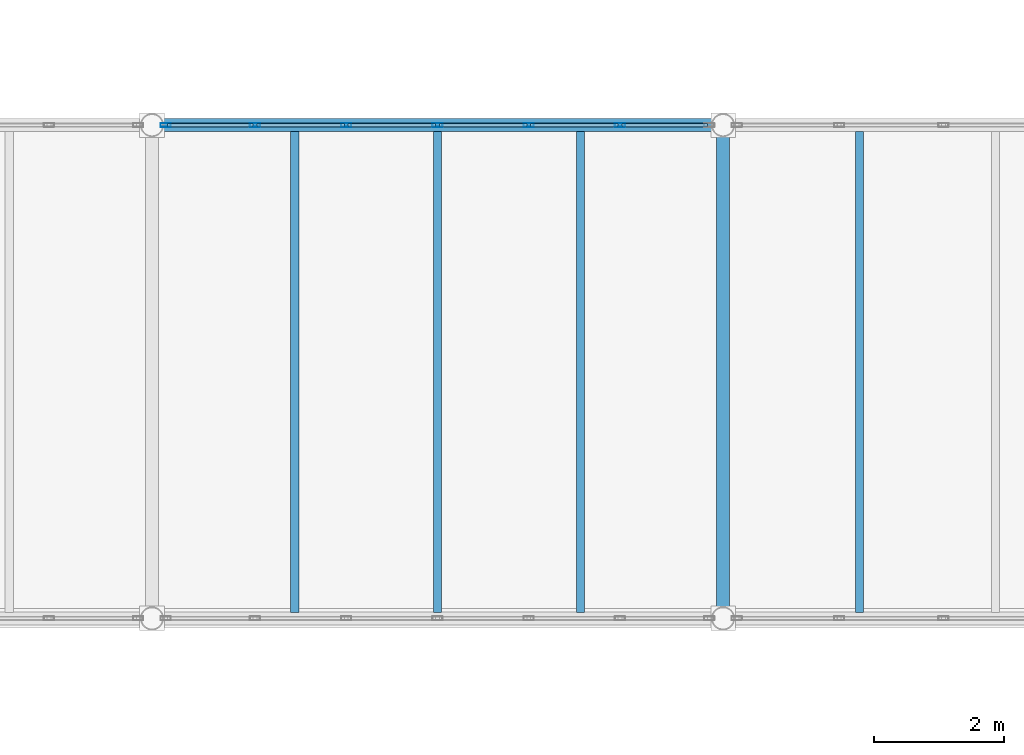
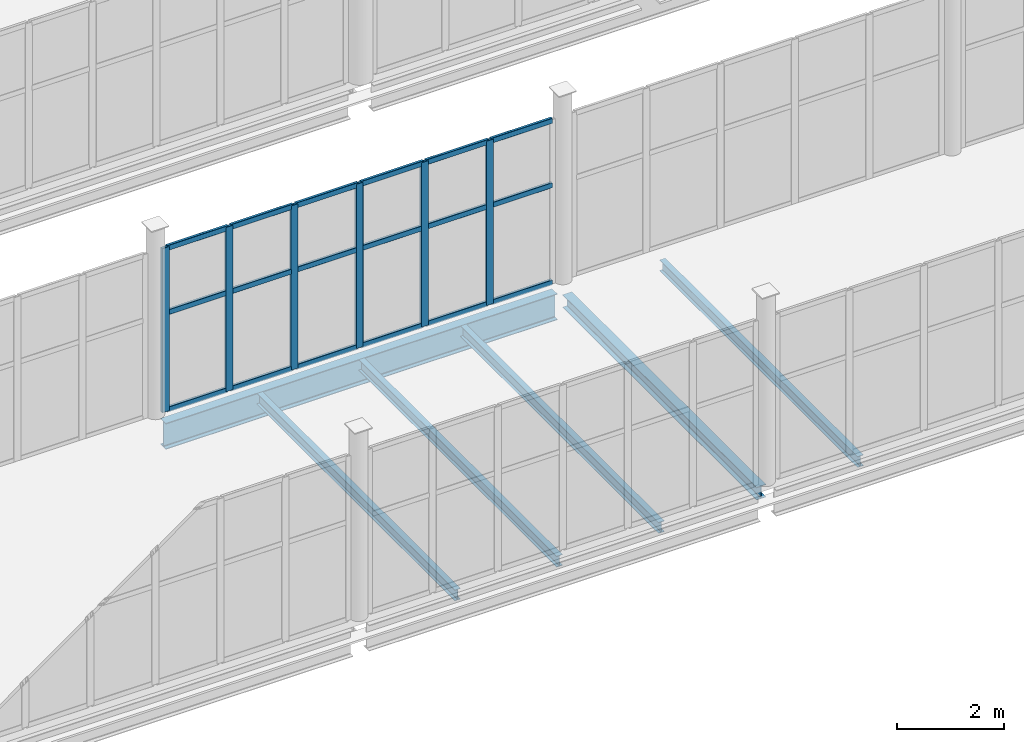
# One storey, part 56 of 172: 24 members, 6 beams, 1 element without a shape of its own.
"""IFC4 building model written with IfcOpenShell, lengths in metres."""

from ifc_helpers import new_model, si_unit, direction, frame, origin, origin_2d, place, context, subcontext, project, spatial, hollow_rectangle, i_section, extrude, material, material_profile, profile_set, type_object, element, aggregate, save


model = new_model("IFC4")

# Units and contexts
model_context = context("Model", 3, precision=1e-05, world=origin(), true_north=direction((0.0, 1.0)))
body_context = subcontext(model_context, "Body", "Model", "MODEL_VIEW")
ifc_project = project(units=[si_unit("LENGTHUNIT", "METRE"), si_unit("AREAUNIT", "SQUARE_METRE"), si_unit("VOLUMEUNIT", "CUBIC_METRE"), si_unit("PLANEANGLEUNIT", "RADIAN"), si_unit("MASSUNIT", "GRAM", prefix="KILO")], contexts=[model_context])

# Site, building, storey
site_placement = place(None, origin())
site = spatial("IfcSite", under=ifc_project, at=site_placement, CompositionType="ELEMENT")
building_placement = place(site_placement, origin())
building = spatial("IfcBuilding", under=site, at=building_placement, Name="Shengluoqiao Park Theatre", CompositionType="ELEMENT")
storey_placement = place(building_placement, frame((0.0, 0.0, 5.39990234375)))
storey = spatial("IfcBuildingStorey", under=building, at=storey_placement, Name="L01", CompositionType="ELEMENT", Elevation=5.39990234375)

# Curtain wall, members
ifc_material_1 = material(Name="Aluminium 6063-T6", Category="aluminium")
curtain_wall_type = type_object("IfcCurtainWallType", Name="ENV-CW-BRIDGE", PredefinedType="NOTDEFINED", material=ifc_material_1)
curtain_wall_placement = place(storey_placement, origin())
curtain_wall = element("IfcCurtainWall", 1, at=curtain_wall_placement, inside=storey, type_object=curtain_wall_type, Name="L01 Curtain Wall CWX-L01-0142", PredefinedType="NOTDEFINED")
ifc_material_profile_1 = material_profile(ifc_material_1, hollow_rectangle(XDim=0.06005859375, YDim=0.159912109375, WallThickness=0.00390625, InnerFilletRadius=0.00390625, OuterFilletRadius=0.008056640625, at=origin_2d()), Name="ALU MULLION 160x60x4")
ifc_profile_set_1 = profile_set([ifc_material_profile_1], Name="Aluminium 6063-T6")
member_type_1 = type_object("IfcMemberType", Name="ENV-MUL-160", PredefinedType="MULLION", material=ifc_profile_set_1)
member_1_placement = place(storey_placement, frame((95.412109375, 60.800048828125, 0.0), z_axis=(0.0, 0.0, 1.0), x_axis=(0.0, 1.0, 0.0)))
member_1 = element("IfcMember", 2, at=member_1_placement, type_object=member_type_1, Name="CW-03 mullion 1", PredefinedType="MULLION", context=body_context, shape_type="SweptSolid", body=[
    extrude(hollow_rectangle(XDim=0.06005859375, YDim=0.159912109375, WallThickness=0.00390625, InnerFilletRadius=0.00390625, OuterFilletRadius=0.008056640625, at=origin_2d()), origin(), (0.0, 0.0, 1.0), 3.752197265625),
])
member_2_placement = place(storey_placement, frame((96.7880859375, 60.800048828125, 0.0), z_axis=(0.0, 0.0, 1.0), x_axis=(0.0, 1.0, 0.0)))
member_2 = element("IfcMember", 3, at=member_2_placement, type_object=member_type_1, Name="CW-03 mullion 2", PredefinedType="MULLION", context=body_context, shape_type="SweptSolid", body=[
    extrude(hollow_rectangle(XDim=0.06005859375, YDim=0.159912109375, WallThickness=0.00390625, InnerFilletRadius=0.00390625, OuterFilletRadius=0.008056640625, at=origin_2d()), origin(), (0.0, 0.0, 1.0), 3.752197265625),
])
member_3_placement = place(storey_placement, frame((98.194091796875, 60.800048828125, 0.0), z_axis=(0.0, 0.0, 1.0), x_axis=(0.0, 1.0, 0.0)))
member_3 = element("IfcMember", 4, at=member_3_placement, type_object=member_type_1, Name="CW-03 mullion 3", PredefinedType="MULLION", context=body_context, shape_type="SweptSolid", body=[
    extrude(hollow_rectangle(XDim=0.06005859375, YDim=0.159912109375, WallThickness=0.00390625, InnerFilletRadius=0.00390625, OuterFilletRadius=0.008056640625, at=origin_2d()), origin(), (0.0, 0.0, 1.0), 3.752197265625),
])
member_4_placement = place(storey_placement, frame((99.60009765625, 60.800048828125, 0.0), z_axis=(0.0, 0.0, 1.0), x_axis=(0.0, 1.0, 0.0)))
member_4 = element("IfcMember", 5, at=member_4_placement, type_object=member_type_1, Name="CW-03 mullion 4", PredefinedType="MULLION", context=body_context, shape_type="SweptSolid", body=[
    extrude(hollow_rectangle(XDim=0.06005859375, YDim=0.159912109375, WallThickness=0.00390625, InnerFilletRadius=0.00390625, OuterFilletRadius=0.008056640625, at=origin_2d()), origin(), (0.0, 0.0, 1.0), 3.752197265625),
])
member_5_placement = place(storey_placement, frame((101.006103515625, 60.800048828125, 0.0), z_axis=(0.0, 0.0, 1.0), x_axis=(0.0, 1.0, 0.0)))
member_5 = element("IfcMember", 6, at=member_5_placement, type_object=member_type_1, Name="CW-03 mullion 5", PredefinedType="MULLION", context=body_context, shape_type="SweptSolid", body=[
    extrude(hollow_rectangle(XDim=0.06005859375, YDim=0.159912109375, WallThickness=0.00390625, InnerFilletRadius=0.00390625, OuterFilletRadius=0.008056640625, at=origin_2d()), origin(), (0.0, 0.0, 1.0), 3.752197265625),
])
member_6_placement = place(storey_placement, frame((102.412109375, 60.800048828125, 0.0), z_axis=(0.0, 0.0, 1.0), x_axis=(0.0, 1.0, 0.0)))
member_6 = element("IfcMember", 7, at=member_6_placement, type_object=member_type_1, Name="CW-03 mullion 6", PredefinedType="MULLION", context=body_context, shape_type="SweptSolid", body=[
    extrude(hollow_rectangle(XDim=0.06005859375, YDim=0.159912109375, WallThickness=0.00390625, InnerFilletRadius=0.00390625, OuterFilletRadius=0.008056640625, at=origin_2d()), origin(), (0.0, 0.0, 1.0), 3.752197265625),
])
ifc_material_profile_2 = material_profile(ifc_material_1, hollow_rectangle(XDim=0.06005859375, YDim=0.1201171875, WallThickness=0.00390625, InnerFilletRadius=0.00390625, OuterFilletRadius=0.008056640625, at=origin_2d()), Name="ALU TRANSOM 120x60x4")
ifc_profile_set_2 = profile_set([ifc_material_profile_2], Name="Aluminium 6063-T6")
member_type_2 = type_object("IfcMemberType", Name="ENV-TRN-120", PredefinedType="USERDEFINED", material=ifc_profile_set_2)
member_7_placement = place(storey_placement, frame((95.44189453125, 60.800048828125, 0.030029296875), z_axis=(1.0, 0.0, 0.0), x_axis=(0.0, 1.0, 0.0)))
member_7 = element("IfcMember", 8, at=member_7_placement, type_object=member_type_2, Name="CW-03 transom 1.1", ObjectType="TRANSOM", PredefinedType="USERDEFINED", context=body_context, shape_type="SweptSolid", body=[
    extrude(hollow_rectangle(XDim=0.06005859375, YDim=0.1201171875, WallThickness=0.00390625, InnerFilletRadius=0.00390625, OuterFilletRadius=0.008056640625, at=origin_2d()), origin(), (0.0, 0.0, 1.0), 1.316162109375),
])
member_8_placement = place(storey_placement, frame((95.44189453125, 60.800048828125, 2.2509765625), z_axis=(1.0, 0.0, 0.0), x_axis=(0.0, 1.0, 0.0)))
member_8 = element("IfcMember", 9, at=member_8_placement, type_object=member_type_2, Name="CW-03 transom 1.2", ObjectType="TRANSOM", PredefinedType="USERDEFINED", context=body_context, shape_type="SweptSolid", body=[
    extrude(hollow_rectangle(XDim=0.06005859375, YDim=0.1201171875, WallThickness=0.00390625, InnerFilletRadius=0.00390625, OuterFilletRadius=0.008056640625, at=origin_2d()), origin(), (0.0, 0.0, 1.0), 1.316162109375),
])
member_9_placement = place(storey_placement, frame((95.44189453125, 60.800048828125, 3.72216796875), z_axis=(1.0, 0.0, 0.0), x_axis=(0.0, 1.0, 0.0)))
member_9 = element("IfcMember", 10, at=member_9_placement, type_object=member_type_2, Name="CW-03 transom 1.3", ObjectType="TRANSOM", PredefinedType="USERDEFINED", context=body_context, shape_type="SweptSolid", body=[
    extrude(hollow_rectangle(XDim=0.06005859375, YDim=0.1201171875, WallThickness=0.00390625, InnerFilletRadius=0.00390625, OuterFilletRadius=0.008056640625, at=origin_2d()), origin(), (0.0, 0.0, 1.0), 1.316162109375),
])
member_10_placement = place(storey_placement, frame((96.818115234375, 60.800048828125, 0.030029296875), z_axis=(1.0, 0.0, 0.0), x_axis=(0.0, 1.0, 0.0)))
member_10 = element("IfcMember", 11, at=member_10_placement, type_object=member_type_2, Name="CW-03 transom 2.1", ObjectType="TRANSOM", PredefinedType="USERDEFINED", context=body_context, shape_type="SweptSolid", body=[
    extrude(hollow_rectangle(XDim=0.06005859375, YDim=0.1201171875, WallThickness=0.00390625, InnerFilletRadius=0.00390625, OuterFilletRadius=0.008056640625, at=origin_2d()), origin(), (0.0, 0.0, 1.0), 1.345947265625),
])
member_11_placement = place(storey_placement, frame((96.818115234375, 60.800048828125, 2.2509765625), z_axis=(1.0, 0.0, 0.0), x_axis=(0.0, 1.0, 0.0)))
member_11 = element("IfcMember", 12, at=member_11_placement, type_object=member_type_2, Name="CW-03 transom 2.2", ObjectType="TRANSOM", PredefinedType="USERDEFINED", context=body_context, shape_type="SweptSolid", body=[
    extrude(hollow_rectangle(XDim=0.06005859375, YDim=0.1201171875, WallThickness=0.00390625, InnerFilletRadius=0.00390625, OuterFilletRadius=0.008056640625, at=origin_2d()), origin(), (0.0, 0.0, 1.0), 1.345947265625),
])
member_12_placement = place(storey_placement, frame((96.818115234375, 60.800048828125, 3.72216796875), z_axis=(1.0, 0.0, 0.0), x_axis=(0.0, 1.0, 0.0)))
member_12 = element("IfcMember", 13, at=member_12_placement, type_object=member_type_2, Name="CW-03 transom 2.3", ObjectType="TRANSOM", PredefinedType="USERDEFINED", context=body_context, shape_type="SweptSolid", body=[
    extrude(hollow_rectangle(XDim=0.06005859375, YDim=0.1201171875, WallThickness=0.00390625, InnerFilletRadius=0.00390625, OuterFilletRadius=0.008056640625, at=origin_2d()), origin(), (0.0, 0.0, 1.0), 1.345947265625),
])
member_13_placement = place(storey_placement, frame((98.22412109375, 60.800048828125, 0.030029296875), z_axis=(1.0, 0.0, 0.0), x_axis=(0.0, 1.0, 0.0)))
member_13 = element("IfcMember", 14, at=member_13_placement, type_object=member_type_2, Name="CW-03 transom 3.1", ObjectType="TRANSOM", PredefinedType="USERDEFINED", context=body_context, shape_type="SweptSolid", body=[
    extrude(hollow_rectangle(XDim=0.06005859375, YDim=0.1201171875, WallThickness=0.00390625, InnerFilletRadius=0.00390625, OuterFilletRadius=0.008056640625, at=origin_2d()), origin(), (0.0, 0.0, 1.0), 1.345947265625),
])
member_14_placement = place(storey_placement, frame((98.22412109375, 60.800048828125, 2.2509765625), z_axis=(1.0, 0.0, 0.0), x_axis=(0.0, 1.0, 0.0)))
member_14 = element("IfcMember", 15, at=member_14_placement, type_object=member_type_2, Name="CW-03 transom 3.2", ObjectType="TRANSOM", PredefinedType="USERDEFINED", context=body_context, shape_type="SweptSolid", body=[
    extrude(hollow_rectangle(XDim=0.06005859375, YDim=0.1201171875, WallThickness=0.00390625, InnerFilletRadius=0.00390625, OuterFilletRadius=0.008056640625, at=origin_2d()), origin(), (0.0, 0.0, 1.0), 1.345947265625),
])
member_15_placement = place(storey_placement, frame((98.22412109375, 60.800048828125, 3.72216796875), z_axis=(1.0, 0.0, 0.0), x_axis=(0.0, 1.0, 0.0)))
member_15 = element("IfcMember", 16, at=member_15_placement, type_object=member_type_2, Name="CW-03 transom 3.3", ObjectType="TRANSOM", PredefinedType="USERDEFINED", context=body_context, shape_type="SweptSolid", body=[
    extrude(hollow_rectangle(XDim=0.06005859375, YDim=0.1201171875, WallThickness=0.00390625, InnerFilletRadius=0.00390625, OuterFilletRadius=0.008056640625, at=origin_2d()), origin(), (0.0, 0.0, 1.0), 1.345947265625),
])
member_16_placement = place(storey_placement, frame((99.6298828125, 60.800048828125, 0.030029296875), z_axis=(1.0, 0.0, 0.0), x_axis=(0.0, 1.0, 0.0)))
member_16 = element("IfcMember", 17, at=member_16_placement, type_object=member_type_2, Name="CW-03 transom 4.1", ObjectType="TRANSOM", PredefinedType="USERDEFINED", context=body_context, shape_type="SweptSolid", body=[
    extrude(hollow_rectangle(XDim=0.06005859375, YDim=0.1201171875, WallThickness=0.00390625, InnerFilletRadius=0.00390625, OuterFilletRadius=0.008056640625, at=origin_2d()), origin(), (0.0, 0.0, 1.0), 1.34619140625),
])
member_17_placement = place(storey_placement, frame((99.6298828125, 60.800048828125, 2.2509765625), z_axis=(1.0, 0.0, 0.0), x_axis=(0.0, 1.0, 0.0)))
member_17 = element("IfcMember", 18, at=member_17_placement, type_object=member_type_2, Name="CW-03 transom 4.2", ObjectType="TRANSOM", PredefinedType="USERDEFINED", context=body_context, shape_type="SweptSolid", body=[
    extrude(hollow_rectangle(XDim=0.06005859375, YDim=0.1201171875, WallThickness=0.00390625, InnerFilletRadius=0.00390625, OuterFilletRadius=0.008056640625, at=origin_2d()), origin(), (0.0, 0.0, 1.0), 1.34619140625),
])
member_18_placement = place(storey_placement, frame((99.6298828125, 60.800048828125, 3.72216796875), z_axis=(1.0, 0.0, 0.0), x_axis=(0.0, 1.0, 0.0)))
member_18 = element("IfcMember", 19, at=member_18_placement, type_object=member_type_2, Name="CW-03 transom 4.3", ObjectType="TRANSOM", PredefinedType="USERDEFINED", context=body_context, shape_type="SweptSolid", body=[
    extrude(hollow_rectangle(XDim=0.06005859375, YDim=0.1201171875, WallThickness=0.00390625, InnerFilletRadius=0.00390625, OuterFilletRadius=0.008056640625, at=origin_2d()), origin(), (0.0, 0.0, 1.0), 1.34619140625),
])
member_19_placement = place(storey_placement, frame((101.035888671875, 60.800048828125, 0.030029296875), z_axis=(1.0, 0.0, 0.0), x_axis=(0.0, 1.0, 0.0)))
member_19 = element("IfcMember", 20, at=member_19_placement, type_object=member_type_2, Name="CW-03 transom 5.1", ObjectType="TRANSOM", PredefinedType="USERDEFINED", context=body_context, shape_type="SweptSolid", body=[
    extrude(hollow_rectangle(XDim=0.06005859375, YDim=0.1201171875, WallThickness=0.00390625, InnerFilletRadius=0.00390625, OuterFilletRadius=0.008056640625, at=origin_2d()), origin(), (0.0, 0.0, 1.0), 1.34619140625),
])
member_20_placement = place(storey_placement, frame((101.035888671875, 60.800048828125, 2.2509765625), z_axis=(1.0, 0.0, 0.0), x_axis=(0.0, 1.0, 0.0)))
member_20 = element("IfcMember", 21, at=member_20_placement, type_object=member_type_2, Name="CW-03 transom 5.2", ObjectType="TRANSOM", PredefinedType="USERDEFINED", context=body_context, shape_type="SweptSolid", body=[
    extrude(hollow_rectangle(XDim=0.06005859375, YDim=0.1201171875, WallThickness=0.00390625, InnerFilletRadius=0.00390625, OuterFilletRadius=0.008056640625, at=origin_2d()), origin(), (0.0, 0.0, 1.0), 1.34619140625),
])
member_21_placement = place(storey_placement, frame((101.035888671875, 60.800048828125, 3.72216796875), z_axis=(1.0, 0.0, 0.0), x_axis=(0.0, 1.0, 0.0)))
member_21 = element("IfcMember", 22, at=member_21_placement, type_object=member_type_2, Name="CW-03 transom 5.3", ObjectType="TRANSOM", PredefinedType="USERDEFINED", context=body_context, shape_type="SweptSolid", body=[
    extrude(hollow_rectangle(XDim=0.06005859375, YDim=0.1201171875, WallThickness=0.00390625, InnerFilletRadius=0.00390625, OuterFilletRadius=0.008056640625, at=origin_2d()), origin(), (0.0, 0.0, 1.0), 1.34619140625),
])
member_22_placement = place(storey_placement, frame((102.44189453125, 60.800048828125, 0.030029296875), z_axis=(1.0, 0.0, 0.0), x_axis=(0.0, 1.0, 0.0)))
member_22 = element("IfcMember", 23, at=member_22_placement, type_object=member_type_2, Name="CW-03 transom 6.1", ObjectType="TRANSOM", PredefinedType="USERDEFINED", context=body_context, shape_type="SweptSolid", body=[
    extrude(hollow_rectangle(XDim=0.06005859375, YDim=0.1201171875, WallThickness=0.00390625, InnerFilletRadius=0.00390625, OuterFilletRadius=0.008056640625, at=origin_2d()), origin(), (0.0, 0.0, 1.0), 1.316162109375),
])
member_23_placement = place(storey_placement, frame((102.44189453125, 60.800048828125, 2.2509765625), z_axis=(1.0, 0.0, 0.0), x_axis=(0.0, 1.0, 0.0)))
member_23 = element("IfcMember", 24, at=member_23_placement, type_object=member_type_2, Name="CW-03 transom 6.2", ObjectType="TRANSOM", PredefinedType="USERDEFINED", context=body_context, shape_type="SweptSolid", body=[
    extrude(hollow_rectangle(XDim=0.06005859375, YDim=0.1201171875, WallThickness=0.00390625, InnerFilletRadius=0.00390625, OuterFilletRadius=0.008056640625, at=origin_2d()), origin(), (0.0, 0.0, 1.0), 1.316162109375),
])
member_24_placement = place(storey_placement, frame((102.44189453125, 60.800048828125, 3.72216796875), z_axis=(1.0, 0.0, 0.0), x_axis=(0.0, 1.0, 0.0)))
member_24 = element("IfcMember", 25, at=member_24_placement, type_object=member_type_2, Name="CW-03 transom 6.3", ObjectType="TRANSOM", PredefinedType="USERDEFINED", context=body_context, shape_type="SweptSolid", body=[
    extrude(hollow_rectangle(XDim=0.06005859375, YDim=0.1201171875, WallThickness=0.00390625, InnerFilletRadius=0.00390625, OuterFilletRadius=0.008056640625, at=origin_2d()), origin(), (0.0, 0.0, 1.0), 1.316162109375),
])
aggregate(curtain_wall, [member_1, member_2, member_3, member_4, member_5, member_6, member_7, member_8, member_9, member_10, member_11, member_12, member_13, member_14, member_15, member_16, member_17, member_18, member_19, member_20, member_21, member_22, member_23, member_24])

# Beams
ifc_material_2 = material(Name="Steel Q355", Category="steel")
ifc_material_profile_3 = material_profile(ifc_material_2, i_section(OverallWidth=0.199951171875, OverallDepth=0.2939453125, WebThickness=0.008056640625, FlangeThickness=0.011962890625, FilletRadius=0.01611328125, at=origin_2d()), Name="HM 294x200x8x12")
ifc_profile_set_3 = profile_set([ifc_material_profile_3], Name="Steel Q355")
beam_type_1 = type_object("IfcBeamType", Name="STR-BM-G-HM294", PredefinedType="BEAM", material=ifc_profile_set_3)
beam_1_placement = place(storey_placement, frame((104.0, 53.3720703125, -0.35693359375), z_axis=(0.0, 1.0, 0.0), x_axis=(-1.0, 0.0, 0.0)))
element("IfcBeam", 26, at=beam_1_placement, inside=storey, type_object=beam_type_1, Name="L01 Transverse Girder 00593", PredefinedType="BEAM", context=body_context, shape_type="SweptSolid", body=[
    extrude(i_section(OverallWidth=0.199951171875, OverallDepth=0.2939453125, WebThickness=0.008056640625, FlangeThickness=0.011962890625, FilletRadius=0.01611328125, at=origin_2d()), origin(), (0.0, 0.0, 1.0), 7.255859375),
])
ifc_material_profile_4 = material_profile(ifc_material_2, i_section(OverallWidth=0.125, OverallDepth=0.25, WebThickness=0.006103515625, FlangeThickness=0.009033203125, FilletRadius=0.010009765625, at=origin_2d()), Name="HN 250x125x6x9")
ifc_profile_set_4 = profile_set([ifc_material_profile_4], Name="Steel Q355")
beam_type_2 = type_object("IfcBeamType", Name="STR-BM-J-HN250", PredefinedType="JOIST", material=ifc_profile_set_4)
for number, where, z_axis, x_axis, name in (
    (27, (97.39990234375, 53.29443359375, -0.3349609375), (0.0, 1.0, 0.0), (-1.0, 0.0, 0.0), "L01 Composite Joist 00616"),
    (28, (99.60009765625, 53.29443359375, -0.3349609375), (0.0, 1.0, 0.0), (-1.0, 0.0, 0.0), "L01 Composite Joist 00617"),
    (29, (101.800048828125, 53.29443359375, -0.3349609375), (0.0, 1.0, 0.0), (-1.0, 0.0, 0.0), "L01 Composite Joist 00618"),
    (30, (106.10009765625, 53.29443359375, -0.3349609375), (0.0, 1.0, 0.0), (-1.0, 0.0, 0.0), "L01 Composite Joist 00619"),
):
    element("IfcBeam", number, at=place(storey_placement, frame(where, z_axis=z_axis, x_axis=x_axis)), inside=storey, type_object=beam_type_2, Name=name, PredefinedType="JOIST", context=body_context, shape_type="SweptSolid", body=[
        extrude(i_section(OverallWidth=0.125, OverallDepth=0.25, WebThickness=0.006103515625, FlangeThickness=0.009033203125, FilletRadius=0.010009765625, at=origin_2d()), origin(), (0.0, 0.0, 1.0), 7.4111328125),
    ])
ifc_material_profile_5 = material_profile(ifc_material_2, i_section(OverallWidth=0.198974609375, OverallDepth=0.595947265625, WebThickness=0.010009765625, FlangeThickness=0.014892578125, FilletRadius=0.02001953125, at=origin_2d()), Name="HN 596x199x10x15")
ifc_profile_set_5 = profile_set([ifc_material_profile_5], Name="Steel Q355")
beam_type_3 = type_object("IfcBeamType", Name="STR-BM-SP-HN596", PredefinedType="SPANDREL", material=ifc_profile_set_5)
beam_2_placement = place(storey_placement, frame((95.3720703125, 60.800048828125, -0.5078125), z_axis=(1.0, 0.0, 0.0), x_axis=(0.0, 1.0, 0.0)))
element("IfcBeam", 31, at=beam_2_placement, inside=storey, type_object=beam_type_3, Name="L01 Primary Girder 00580", PredefinedType="SPANDREL", context=body_context, shape_type="SweptSolid", body=[
    extrude(i_section(OverallWidth=0.198974609375, OverallDepth=0.595947265625, WebThickness=0.010009765625, FlangeThickness=0.014892578125, FilletRadius=0.02001953125, at=origin_2d()), origin(), (0.0, 0.0, 1.0), 8.455810546875),
])

save(model, "model.ifc")
